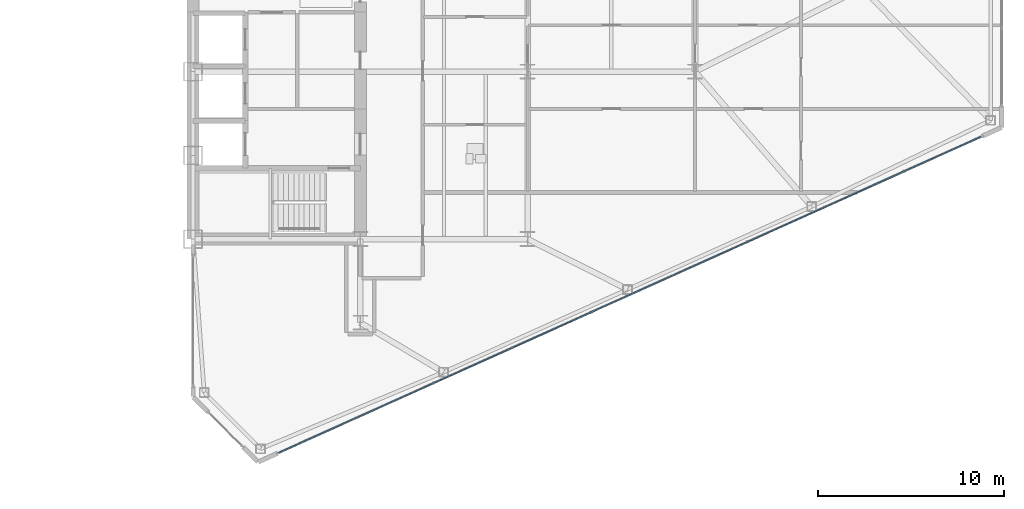
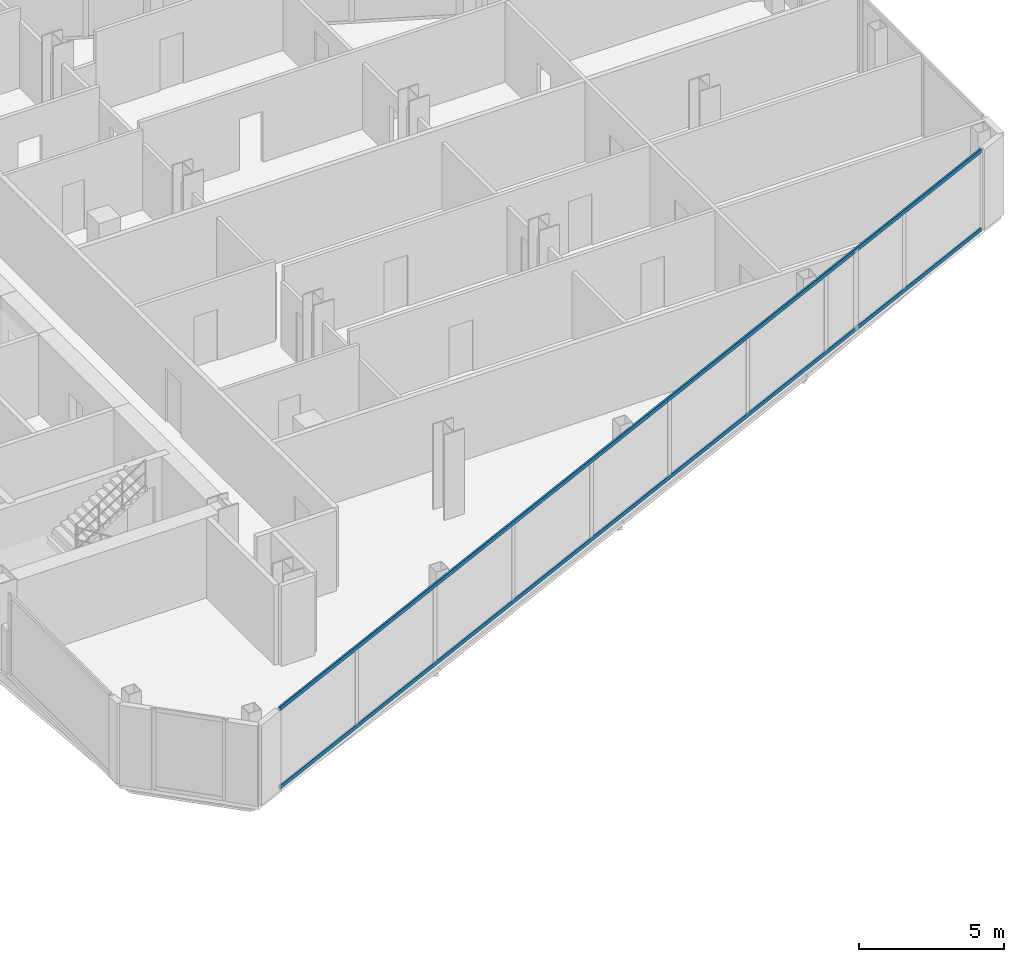
# One storey, part 11 of 27: 2 members, 1 element without a shape of its own.
"""IFC4 building model written with IfcOpenShell, lengths in metres."""

from ifc_helpers import new_model, si_unit, direction, frame, origin, origin_2d, place, context, subcontext, project, spatial, rectangle, extrude, source, transform, mapped, material, layer, layer_set, material_profile, profile_set, type_object, type_shapes, element, aggregate, save


model = new_model("IFC4")

# Units and contexts
model_context = context("Model", 3, precision=1e-05, world=origin(), true_north=direction((0.0, 1.0)))
body_context = subcontext(model_context, "Body", "Model", "MODEL_VIEW")
ifc_project = project(units=[si_unit("LENGTHUNIT", "METRE"), si_unit("AREAUNIT", "SQUARE_METRE"), si_unit("VOLUMEUNIT", "CUBIC_METRE"), si_unit("PLANEANGLEUNIT", "RADIAN"), si_unit("MASSUNIT", "GRAM", prefix="KILO")], contexts=[model_context])

# Site, building, storey
site_placement = place(None, origin())
site = spatial("IfcSite", under=ifc_project, at=site_placement, CompositionType="ELEMENT")
building_placement = place(site_placement, origin())
building = spatial("IfcBuilding", under=site, at=building_placement, Name="Seokmaru Belvedere", CompositionType="ELEMENT")
storey_placement = place(building_placement, frame((0.0, 0.0, 106.800048828125)))
storey = spatial("IfcBuildingStorey", under=building, at=storey_placement, Name="L28", CompositionType="ELEMENT", Elevation=106.800048828125)

# Curtain wall, members
ifc_material_1 = material(Name="Bronze Triple Insulating Glass", Category="glass")
ifc_layer = layer(ifc_material_1, 0.195068359375)
ifc_layer_set = layer_set([ifc_layer], Name="Bronze Triple Insulating Glass")
curtain_wall_type = type_object("IfcCurtainWallType", Name="Lower-Mid Tapered Curtain Wall System CW-3", PredefinedType="NOTDEFINED", material=ifc_layer_set)
curtain_wall_placement = place(storey_placement, origin())
curtain_wall = element("IfcCurtainWall", 1, at=curtain_wall_placement, inside=storey, type_object=curtain_wall_type, Name="L28 Curtain Wall EF1", PredefinedType="NOTDEFINED")
ifc_material_2 = material(Name="Anodised Bronze Aluminium", Category="aluminium")
ifc_material_profile = material_profile(ifc_material_2, rectangle(XDim=0.070068359375, YDim=0.1650390625, at=origin_2d()), Name="CW-T-70x165")
ifc_profile_set = profile_set([ifc_material_profile], Name="Anodised Bronze Aluminium")
member_type = type_object("IfcMemberType", Name="Bronze Unitised Transom 70x165", PredefinedType="USERDEFINED", material=ifc_profile_set)
shared_shape = source(origin(), body_context, "Body", "SweptSolid", [
    extrude(rectangle(XDim=0.070068359375, YDim=0.1650390625, at=origin_2d()), origin(), (0.0, 0.0, 1.0), 41.423583984375),
])
type_shapes(member_type, [shared_shape])
member_1_placement = place(storey_placement, frame((32.112548828125, -24.99951171875, 0.034912109375), z_axis=(0.911918637916, 0.410371048956, 0.0), x_axis=(-0.410371048956, 0.911918637916, 0.0)))
member_1 = element("IfcMember", 2, at=member_1_placement, type_object=member_type, Name="CW:L28:EF1 Continuous Transom 1", ObjectType="TRANSOM", PredefinedType="USERDEFINED", context=body_context, shape_type="MappedRepresentation", body=[
    mapped(shared_shape, transform((0.0, 0.0, 0.0), scale=1.0)),
])
member_2_placement = place(storey_placement, frame((32.112548828125, -24.99951171875, 3.344970703125), z_axis=(0.911918637916, 0.410371048956, 0.0), x_axis=(-0.410371048956, 0.911918637916, 0.0)))
member_2 = element("IfcMember", 3, at=member_2_placement, type_object=member_type, Name="CW:L28:EF1 Continuous Transom 2", ObjectType="TRANSOM", PredefinedType="USERDEFINED", context=body_context, shape_type="MappedRepresentation", body=[
    mapped(shared_shape, transform((0.0, 0.0, 0.0), scale=1.0)),
])
aggregate(curtain_wall, [member_1, member_2])

save(model, "model.ifc")
